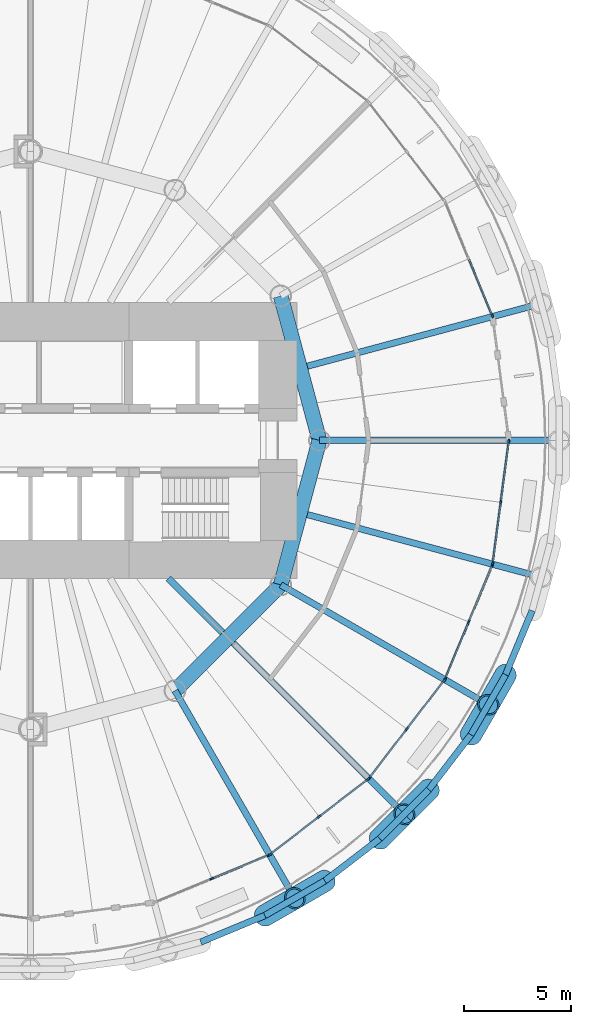
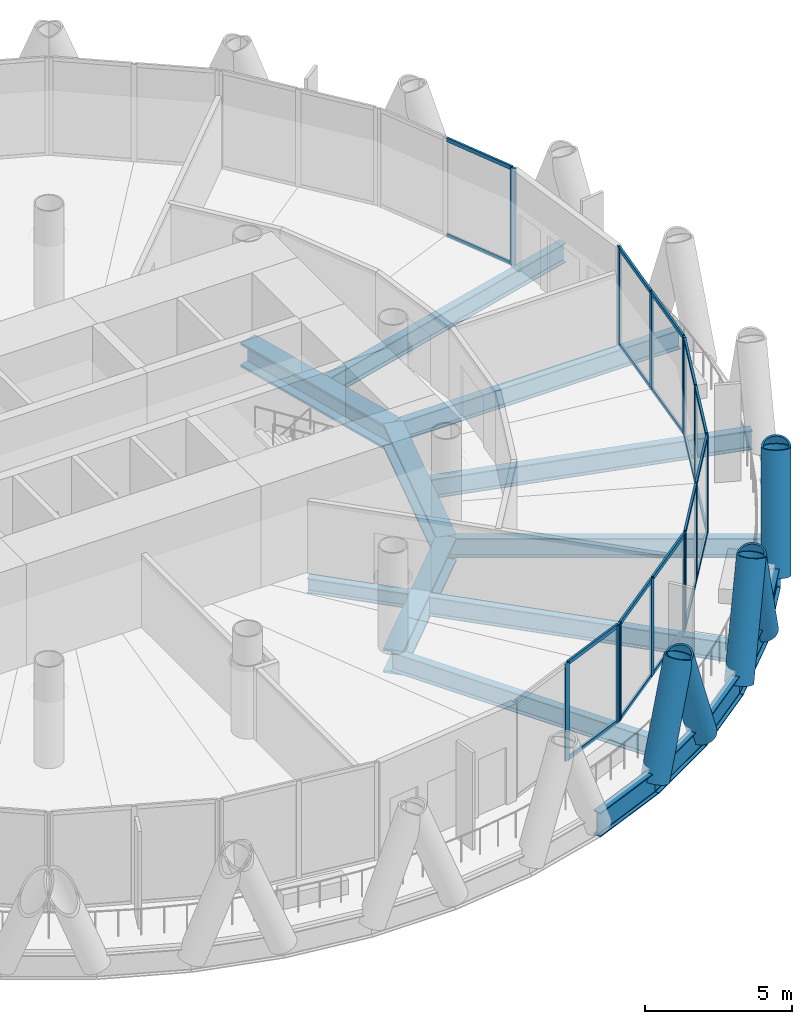
# One storey, part 4 of 15: 41 members, 17 beams, 6 elements without a shape of their own.
"""IFC4 building model written with IfcOpenShell, lengths in metres."""

import ifcopenshell
import ifcopenshell.guid

model = None  # the IFC model being written
_history = None  # IfcOwnerHistory: only IFC2X3 demands one
_inside = {}  # id of a spatial element -> (the spatial element, [elements in it])
_under = {}  # id of a project, library or spatial element -> (it, [spatial elements below it])
_declared = {}  # id of a project -> (the project, [libraries it declares])
_typed = {}  # id of a type object -> (the type object, [elements of that type])
_made_of = {}  # id of a material, layer set ... -> (it, [elements and type objects made of it])


def new_model(schema):
    """Start an empty IFC model of exactly this schema.

    Asked for "IFC4X3", IfcOpenShell would pick the latest addendum, in which some entities
    have other attributes; the version numbers below select the first issue.
    IFC2X3 requires an IfcOwnerHistory on every rooted entity: one is made here for all.
    """
    global model, _history
    if schema == "IFC4X3":
        model = ifcopenshell.file(schema_version=(4, 3, 0, 0))
    else:
        model = ifcopenshell.file(schema=schema)
    _inside.clear()
    _under.clear()
    _declared.clear()
    _typed.clear()
    _made_of.clear()
    _history = None
    if model.schema == "IFC2X3":
        org = make("IfcOrganization", Name="unknown")
        user = make(
            "IfcPersonAndOrganization",
            ThePerson=make("IfcPerson", FamilyName="unknown"),
            TheOrganization=org,
        )
        app = make(
            "IfcApplication",
            ApplicationDeveloper=org,
            Version="unknown",
            ApplicationFullName="unknown",
            ApplicationIdentifier="unknown",
        )
        _history = make(
            "IfcOwnerHistory",
            OwningUser=user,
            OwningApplication=app,
            ChangeAction="ADDED",
            CreationDate=0,
        )
    return model


def make(cls, **values):
    """One entity of the class cls with the attributes given. An attribute that is None is left unset."""
    return model.create_entity(
        cls, **{name: value for name, value in values.items() if value is not None}
    )


def rooted(cls, **values):
    """An entity with a GlobalId (a new one), such as an element, a storey or a relation."""
    return make(cls, GlobalId=ifcopenshell.guid.new(), OwnerHistory=_history, **values)


def si_unit(unit_type, name, prefix=None):
    """IfcSIUnit, for example si_unit("LENGTHUNIT", "METRE", prefix="MILLI")."""
    return make("IfcSIUnit", UnitType=unit_type, Prefix=prefix, Name=name)


def assignment(units):
    """IfcUnitAssignment: the units of a project."""
    return None if units is None else make("IfcUnitAssignment", Units=units)


def point(xyz):
    """IfcCartesianPoint."""
    return None if xyz is None else make("IfcCartesianPoint", Coordinates=xyz)


def direction(xyz):
    """IfcDirection."""
    return None if xyz is None else make("IfcDirection", DirectionRatios=xyz)


def frame(location, z_axis=None, x_axis=None):
    """IfcAxis2Placement3D, a coordinate frame: its origin and axes. An axis left out is left unset."""
    return make(
        "IfcAxis2Placement3D",
        Location=point(location),
        Axis=direction(z_axis),
        RefDirection=direction(x_axis),
    )


def frame_2d(location, x_axis=None):
    """IfcAxis2Placement2D, a coordinate frame in the plane: its origin and x axis."""
    return make(
        "IfcAxis2Placement2D", Location=point(location), RefDirection=direction(x_axis)
    )


def origin():
    """The frame at (0, 0, 0) with its axes left unset."""
    return frame((0.0, 0.0, 0.0))


def origin_2d():
    """The frame at (0, 0) in the plane with its x axis left unset."""
    return frame_2d((0.0, 0.0))


def place(relative_to, where):
    """IfcLocalPlacement: puts the frame where relative to a parent placement (None: the world)."""
    return make(
        "IfcLocalPlacement", PlacementRelTo=relative_to, RelativePlacement=where
    )


def context(
    kind, dimensions, precision=None, world=None, true_north=None, identifier=None
):
    """IfcGeometricRepresentationContext, for example the 3D "Model" context."""
    return make(
        "IfcGeometricRepresentationContext",
        ContextIdentifier=identifier,
        ContextType=kind,
        CoordinateSpaceDimension=dimensions,
        Precision=precision,
        WorldCoordinateSystem=world,
        TrueNorth=true_north,
    )


def subcontext(parent, identifier, kind, view, scale=None):
    """IfcGeometricRepresentationSubContext, for example "Body" below "Model"."""
    return make(
        "IfcGeometricRepresentationSubContext",
        ContextIdentifier=identifier,
        ContextType=kind,
        ParentContext=parent,
        TargetScale=scale,
        TargetView=view,
    )


def project(units=None, contexts=None):
    """IfcProject with its units and contexts."""
    return rooted(
        "IfcProject",
        Name="project",
        RepresentationContexts=contexts,
        UnitsInContext=assignment(units),
    )


def spatial(cls, under=None, at=None, **own):
    """A site, building, storey or space (cls), placed at a placement, below another one or the project."""
    s = rooted(cls, ObjectPlacement=at, **own)
    if under is not None:
        _under.setdefault(under.id(), (under, []))[1].append(s)
    return s


def profile(cls, at=None, kind="AREA", **sizes):
    """A parametric profile (cls). Its sizes go by their IFC names, for example OverallWidth=200.0."""
    return make(cls, ProfileType=kind, Position=at, **sizes)


def rectangle(**sizes):
    """IfcRectangleProfileDef."""
    return profile("IfcRectangleProfileDef", **sizes)


def hollow_circle(**sizes):
    """IfcCircleHollowProfileDef."""
    return profile("IfcCircleHollowProfileDef", **sizes)


def i_section(**sizes):
    """IfcIShapeProfileDef."""
    return profile("IfcIShapeProfileDef", **sizes)


def extrude(swept, where, along, depth):
    """IfcExtrudedAreaSolid: the profile swept, set in the frame where, extruded along a direction by depth."""
    return make(
        "IfcExtrudedAreaSolid",
        SweptArea=swept,
        Position=where,
        ExtrudedDirection=direction(along),
        Depth=depth,
    )


def shape(context_of_items, identifier, shape_type, items):
    """IfcShapeRepresentation: the items that make up one representation, for example the "Body"."""
    return make(
        "IfcShapeRepresentation",
        ContextOfItems=context_of_items,
        RepresentationIdentifier=identifier,
        RepresentationType=shape_type,
        Items=items,
    )


def material(Name=None, Category=None):
    """IfcMaterial."""
    return make("IfcMaterial", Name=Name, Category=Category)


def material_profile(
    of_material, cross_section, Name=None, Category=None, Priority=None
):
    """IfcMaterialProfile: a cross section and its material."""
    return make(
        "IfcMaterialProfile",
        Name=Name,
        Material=of_material,
        Profile=cross_section,
        Priority=Priority,
        Category=Category,
    )


def profile_set(profiles, Name=None, composite=None):
    """IfcMaterialProfileSet."""
    return make(
        "IfcMaterialProfileSet",
        Name=Name,
        MaterialProfiles=profiles,
        CompositeProfile=composite,
    )


def made_of(thing, what):
    """Note that an element or type object is made of a material, layer set ...; save() writes the relation."""
    if what is not None:
        _made_of.setdefault(what.id(), (what, []))[1].append(thing)
    return thing


def type_object(cls, material=None, **own):
    """A type object (cls), such as IfcWallType, which elements share."""
    return made_of(rooted(cls, **own), material)


def element(
    cls,
    number,
    at=None,
    inside=None,
    cuts=None,
    type_object=None,
    material=None,
    context=None,
    identifier="Body",
    shape_type=None,
    held_by="IfcProductDefinitionShape",
    body=None,
    shapes=None,
    **own,
):
    """One element of the class cls, such as IfcWall. Its Tag is "e" and its number.

    at: its placement. inside: the storey or other place that contains it. cuts: it is an
    opening in that element (IfcRelVoidsElement). A single representation is given by context,
    identifier, shape_type and body (its items); several are given by shapes. held_by: the class
    of the entity that holds the representations. save() writes the other relations.
    """
    e = rooted(cls, Tag="e%d" % number, ObjectPlacement=at, **own)
    if body is not None:
        shapes = [shape(context, identifier, shape_type, body)]
    if shapes is not None:
        e.Representation = make(held_by, Representations=shapes)
    if inside is not None:
        _inside.setdefault(inside.id(), (inside, []))[1].append(e)
    if cuts is not None:
        rooted(
            "IfcRelVoidsElement", RelatingBuildingElement=cuts, RelatedOpeningElement=e
        )
    if type_object is not None:
        _typed.setdefault(type_object.id(), (type_object, []))[1].append(e)
    return made_of(e, material)


def aggregate(whole, parts):
    """IfcRelAggregates: a whole, such as a stair, and the parts it consists of."""
    return rooted("IfcRelAggregates", RelatingObject=whole, RelatedObjects=parts)


def save(model, path):
    """Write the relations noted so far, then the file.

    IfcRelAggregates (storeys below a building ...), IfcRelContainedInSpatialStructure (elements
    in a storey), IfcRelDefinesByType, IfcRelAssociatesMaterial and IfcRelDeclares: one each for
    every whole, place, type object, material and project.
    """
    for whole, parts in _under.values():
        aggregate(whole, parts)
    for where, things in _inside.values():
        rooted(
            "IfcRelContainedInSpatialStructure",
            RelatedElements=things,
            RelatingStructure=where,
        )
    for kind, things in _typed.values():
        rooted("IfcRelDefinesByType", RelatedObjects=things, RelatingType=kind)
    for what, things in _made_of.values():
        rooted("IfcRelAssociatesMaterial", RelatedObjects=things, RelatingMaterial=what)
    for by, libraries in _declared.values():
        rooted("IfcRelDeclares", RelatingContext=by, RelatedDefinitions=libraries)
    model.write(path)


model = new_model("IFC4")

# Units and contexts
model_context = context("Model", 3, precision=1e-05, world=origin(), true_north=direction((0.0, 1.0)))
body_context = subcontext(model_context, "Body", "Model", "MODEL_VIEW")
ifc_project = project(units=[si_unit("LENGTHUNIT", "METRE"), si_unit("AREAUNIT", "SQUARE_METRE"), si_unit("VOLUMEUNIT", "CUBIC_METRE"), si_unit("PLANEANGLEUNIT", "RADIAN"), si_unit("MASSUNIT", "GRAM", prefix="KILO")], contexts=[model_context])

# Site, building, storey
site_placement = place(None, origin())
site = spatial("IfcSite", under=ifc_project, at=site_placement, CompositionType="ELEMENT")
building_placement = place(site_placement, origin())
building = spatial("IfcBuilding", under=site, at=building_placement, Name="Qaws Media Tower", CompositionType="ELEMENT")
storey_placement = place(building_placement, frame((0.0, 0.0, 156.199951171875)))
storey = spatial("IfcBuildingStorey", under=building, at=storey_placement, Name="L35", CompositionType="ELEMENT", Elevation=156.199951171875)

# Curtain wall, member
ifc_material_1 = material(Name="Aluminium and clear glass", Category="aluminium")
curtain_wall_type = type_object("IfcCurtainWallType", Name="Unitised curtain wall CW-B", PredefinedType="NOTDEFINED", material=ifc_material_1)
curtain_wall_1_placement = place(storey_placement, origin())
curtain_wall_1 = element("IfcCurtainWall", 1, at=curtain_wall_1_placement, inside=storey, type_object=curtain_wall_type, Name="CWB curtain wall L35-02", PredefinedType="NOTDEFINED")
ifc_material_2 = material(Name="Aluminium mullion", Category="aluminium")
ifc_material_profile_1 = material_profile(ifc_material_2, rectangle(XDim=0.080078125, YDim=0.199951171875, at=origin_2d()), Name="80x200")
ifc_profile_set_1 = profile_set([ifc_material_profile_1], Name="Aluminium mullion")
member_type_1 = type_object("IfcMemberType", Name="Curtain wall mullion 80x200", PredefinedType="MULLION", material=ifc_profile_set_1)
member_1_placement = place(storey_placement, frame((81.5732421875, 55.821533203125, 0.0), z_axis=(0.0, 0.0, 1.0), x_axis=(-0.923879550772, -0.38268338828, 0.0)))
member_1 = element("IfcMember", 2, at=member_1_placement, type_object=member_type_1, Name="CWB mullion 1", PredefinedType="MULLION", context=body_context, shape_type="SweptSolid", body=[
    extrude(rectangle(XDim=0.080078125, YDim=0.199951171875, at=origin_2d()), origin(), (0.0, 0.0, 1.0), 4.0400390625),
])

# Curtain wall, members
curtain_wall_2_placement = place(storey_placement, origin())
curtain_wall_2 = element("IfcCurtainWall", 3, at=curtain_wall_2_placement, inside=storey, type_object=curtain_wall_type, Name="CWB curtain wall L35-20", PredefinedType="NOTDEFINED")
member_2_placement = place(storey_placement, frame((68.479736328125, 29.52783203125, 0.0), z_axis=(0.0, 0.0, 1.0), x_axis=(-0.38268338828, 0.923879550772, 0.0)))
member_2 = element("IfcMember", 4, at=member_2_placement, type_object=member_type_1, Name="CWB mullion 2", PredefinedType="MULLION", context=body_context, shape_type="SweptSolid", body=[
    extrude(rectangle(XDim=0.080078125, YDim=0.199951171875, at=origin_2d()), origin(), (0.0, 0.0, 1.0), 4.0400390625),
])
member_3_placement = place(storey_placement, frame((71.137939453125, 30.62890625, 0.0), z_axis=(0.0, 0.0, 1.0), x_axis=(-0.38268338828, 0.923879550772, 0.0)))
member_3 = element("IfcMember", 5, at=member_3_placement, type_object=member_type_1, Name="CWB mullion 3", PredefinedType="MULLION", context=body_context, shape_type="SweptSolid", body=[
    extrude(rectangle(XDim=0.080078125, YDim=0.199951171875, at=origin_2d()), origin(), (0.0, 0.0, 1.0), 4.0400390625),
])

curtain_wall_3_placement = place(storey_placement, origin())
curtain_wall_3 = element("IfcCurtainWall", 6, at=curtain_wall_3_placement, inside=storey, type_object=curtain_wall_type, Name="CWB curtain wall L35-21", PredefinedType="NOTDEFINED")
member_4_placement = place(storey_placement, frame((71.206787109375, 30.668701171875, 0.0), z_axis=(0.0, 0.0, 1.0), x_axis=(-0.608761369344, 0.793353386074, 0.0)))
member_4 = element("IfcMember", 7, at=member_4_placement, type_object=member_type_1, Name="CWB mullion 1", PredefinedType="MULLION", context=body_context, shape_type="SweptSolid", body=[
    extrude(rectangle(XDim=0.080078125, YDim=0.199951171875, at=origin_2d()), origin(), (0.0, 0.0, 1.0), 4.0400390625),
])
member_5_placement = place(storey_placement, frame((73.489501953125, 32.420166015625, 0.0), z_axis=(0.0, 0.0, 1.0), x_axis=(-0.608761369344, 0.793353386074, 0.0)))
member_5 = element("IfcMember", 8, at=member_5_placement, type_object=member_type_1, Name="CWB mullion 2", PredefinedType="MULLION", context=body_context, shape_type="SweptSolid", body=[
    extrude(rectangle(XDim=0.080078125, YDim=0.199951171875, at=origin_2d()), origin(), (0.0, 0.0, 1.0), 4.0400390625),
])
member_6_placement = place(storey_placement, frame((75.772216796875, 34.171875, 0.0), z_axis=(0.0, 0.0, 1.0), x_axis=(-0.608761369344, 0.793353386074, 0.0)))
member_6 = element("IfcMember", 9, at=member_6_placement, type_object=member_type_1, Name="CWB mullion 3", PredefinedType="MULLION", context=body_context, shape_type="SweptSolid", body=[
    extrude(rectangle(XDim=0.080078125, YDim=0.199951171875, at=origin_2d()), origin(), (0.0, 0.0, 1.0), 4.0400390625),
])

curtain_wall_4_placement = place(storey_placement, origin())
curtain_wall_4 = element("IfcCurtainWall", 10, at=curtain_wall_4_placement, inside=storey, type_object=curtain_wall_type, Name="CWB curtain wall L35-22", PredefinedType="NOTDEFINED")
member_7_placement = place(storey_placement, frame((75.828125, 34.227783203125, 0.0), z_axis=(0.0, 0.0, 1.0), x_axis=(-0.793353386074, 0.608761369344, 0.0)))
member_7 = element("IfcMember", 11, at=member_7_placement, type_object=member_type_1, Name="CWB mullion 1", PredefinedType="MULLION", context=body_context, shape_type="SweptSolid", body=[
    extrude(rectangle(XDim=0.080078125, YDim=0.199951171875, at=origin_2d()), origin(), (0.0, 0.0, 1.0), 4.0400390625),
])
member_8_placement = place(storey_placement, frame((77.579833984375, 36.510498046875, 0.0), z_axis=(0.0, 0.0, 1.0), x_axis=(-0.793353386074, 0.608761369344, 0.0)))
member_8 = element("IfcMember", 12, at=member_8_placement, type_object=member_type_1, Name="CWB mullion 2", PredefinedType="MULLION", context=body_context, shape_type="SweptSolid", body=[
    extrude(rectangle(XDim=0.080078125, YDim=0.199951171875, at=origin_2d()), origin(), (0.0, 0.0, 1.0), 4.0400390625),
])
member_9_placement = place(storey_placement, frame((79.331298828125, 38.793212890625, 0.0), z_axis=(0.0, 0.0, 1.0), x_axis=(-0.793353386074, 0.608761369344, 0.0)))
member_9 = element("IfcMember", 13, at=member_9_placement, type_object=member_type_1, Name="CWB mullion 3", PredefinedType="MULLION", context=body_context, shape_type="SweptSolid", body=[
    extrude(rectangle(XDim=0.080078125, YDim=0.199951171875, at=origin_2d()), origin(), (0.0, 0.0, 1.0), 4.0400390625),
])

curtain_wall_5_placement = place(storey_placement, origin())
curtain_wall_5 = element("IfcCurtainWall", 14, at=curtain_wall_5_placement, inside=storey, type_object=curtain_wall_type, Name="CWB curtain wall L35-23", PredefinedType="NOTDEFINED")
member_10_placement = place(storey_placement, frame((79.37109375, 38.862060546875, 0.0), z_axis=(0.0, 0.0, 1.0), x_axis=(-0.923879550772, 0.38268338828, 0.0)))
member_10 = element("IfcMember", 15, at=member_10_placement, type_object=member_type_1, Name="CWB mullion 1", PredefinedType="MULLION", context=body_context, shape_type="SweptSolid", body=[
    extrude(rectangle(XDim=0.080078125, YDim=0.199951171875, at=origin_2d()), origin(), (0.0, 0.0, 1.0), 4.0400390625),
])
member_11_placement = place(storey_placement, frame((80.47216796875, 41.520263671875, 0.0), z_axis=(0.0, 0.0, 1.0), x_axis=(-0.923879550772, 0.38268338828, 0.0)))
member_11 = element("IfcMember", 16, at=member_11_placement, type_object=member_type_1, Name="CWB mullion 2", PredefinedType="MULLION", context=body_context, shape_type="SweptSolid", body=[
    extrude(rectangle(XDim=0.080078125, YDim=0.199951171875, at=origin_2d()), origin(), (0.0, 0.0, 1.0), 4.0400390625),
])
member_12_placement = place(storey_placement, frame((81.5732421875, 44.178466796875, 0.0), z_axis=(0.0, 0.0, 1.0), x_axis=(-0.923879550772, 0.38268338828, 0.0)))
member_12 = element("IfcMember", 17, at=member_12_placement, type_object=member_type_1, Name="CWB mullion 3", PredefinedType="MULLION", context=body_context, shape_type="SweptSolid", body=[
    extrude(rectangle(XDim=0.080078125, YDim=0.199951171875, at=origin_2d()), origin(), (0.0, 0.0, 1.0), 4.0400390625),
])

curtain_wall_6_placement = place(storey_placement, origin())
curtain_wall_6 = element("IfcCurtainWall", 18, at=curtain_wall_6_placement, inside=storey, type_object=curtain_wall_type, Name="CWB curtain wall L35-24", PredefinedType="NOTDEFINED")
member_13_placement = place(storey_placement, frame((81.59375, 44.255126953125, 0.0), z_axis=(0.0, 0.0, 1.0), x_axis=(-0.991444857547, 0.130526221291, 0.0)))
member_13 = element("IfcMember", 19, at=member_13_placement, type_object=member_type_1, Name="CWB mullion 1", PredefinedType="MULLION", context=body_context, shape_type="SweptSolid", body=[
    extrude(rectangle(XDim=0.080078125, YDim=0.199951171875, at=origin_2d()), origin(), (0.0, 0.0, 1.0), 4.0400390625),
])
member_14_placement = place(storey_placement, frame((81.96923828125, 47.107666015625, 0.0), z_axis=(0.0, 0.0, 1.0), x_axis=(-0.991444857547, 0.130526221291, 0.0)))
member_14 = element("IfcMember", 20, at=member_14_placement, type_object=member_type_1, Name="CWB mullion 2", PredefinedType="MULLION", context=body_context, shape_type="SweptSolid", body=[
    extrude(rectangle(XDim=0.080078125, YDim=0.199951171875, at=origin_2d()), origin(), (0.0, 0.0, 1.0), 4.0400390625),
])
member_15_placement = place(storey_placement, frame((82.3447265625, 49.96044921875, 0.0), z_axis=(0.0, 0.0, 1.0), x_axis=(-0.991444857547, 0.130526221291, 0.0)))
member_15 = element("IfcMember", 21, at=member_15_placement, type_object=member_type_1, Name="CWB mullion 3", PredefinedType="MULLION", context=body_context, shape_type="SweptSolid", body=[
    extrude(rectangle(XDim=0.080078125, YDim=0.199951171875, at=origin_2d()), origin(), (0.0, 0.0, 1.0), 4.0400390625),
])

# Member
ifc_material_3 = material(Name="Aluminium transom", Category="aluminium")
ifc_material_profile_2 = material_profile(ifc_material_3, rectangle(XDim=0.080078125, YDim=0.159912109375, at=origin_2d()), Name="80x160")
ifc_profile_set_2 = profile_set([ifc_material_profile_2], Name="Aluminium transom")
member_type_2 = type_object("IfcMemberType", Name="Curtain wall transom 80x160", PredefinedType="USERDEFINED", material=ifc_profile_set_2)
member_16_placement = place(storey_placement, frame((81.557861328125, 55.8583984375, 0.0400390625), z_axis=(-0.382693505859, 0.923875359869, 0.0), x_axis=(-0.923875359869, -0.382693505859, 0.0)))
member_16 = element("IfcMember", 22, at=member_16_placement, type_object=member_type_2, Name="CWB transom 1.1", ObjectType="TRANSOM", PredefinedType="USERDEFINED", context=body_context, shape_type="SweptSolid", body=[
    extrude(rectangle(XDim=0.080078125, YDim=0.159912109375, at=origin_2d()), origin(), (0.0, 0.0, 1.0), 2.79736328125),
])

member_17_placement = place(storey_placement, frame((81.557861328125, 55.8583984375, 4.0), z_axis=(-0.382693505859, 0.923875359869, 0.0), x_axis=(-0.923875359869, -0.382693505859, 0.0)))
member_17 = element("IfcMember", 23, at=member_17_placement, type_object=member_type_2, Name="CWB transom 1.2", ObjectType="TRANSOM", PredefinedType="USERDEFINED", context=body_context, shape_type="SweptSolid", body=[
    extrude(rectangle(XDim=0.080078125, YDim=0.159912109375, at=origin_2d()), origin(), (0.0, 0.0, 1.0), 2.79736328125),
])

aggregate(curtain_wall_1, [member_1, member_16, member_17])

member_18_placement = place(storey_placement, frame((68.516845703125, 29.543212890625, 0.0400390625), z_axis=(0.923862576768, 0.382724364585, 0.0), x_axis=(-0.382724364585, 0.923862576768, 0.0)))
member_18 = element("IfcMember", 24, at=member_18_placement, type_object=member_type_2, Name="CWB transom 2.1", ObjectType="TRANSOM", PredefinedType="USERDEFINED", context=body_context, shape_type="SweptSolid", body=[
    extrude(rectangle(XDim=0.080078125, YDim=0.159912109375, at=origin_2d()), origin(), (0.0, 0.0, 1.0), 2.797119140625),
])

member_19_placement = place(storey_placement, frame((68.516845703125, 29.543212890625, 4.0), z_axis=(0.923862576768, 0.382724364585, 0.0), x_axis=(-0.382724364585, 0.923862576768, 0.0)))
member_19 = element("IfcMember", 25, at=member_19_placement, type_object=member_type_2, Name="CWB transom 2.2", ObjectType="TRANSOM", PredefinedType="USERDEFINED", context=body_context, shape_type="SweptSolid", body=[
    extrude(rectangle(XDim=0.080078125, YDim=0.159912109375, at=origin_2d()), origin(), (0.0, 0.0, 1.0), 2.797119140625),
])

aggregate(curtain_wall_2, [member_2, member_3, member_18, member_19])

member_20_placement = place(storey_placement, frame((71.238525390625, 30.693115234375, 0.0400390625), z_axis=(0.793353438114, 0.608761301523, 0.0), x_axis=(-0.608761301523, 0.793353438114, 0.0)))
member_20 = element("IfcMember", 26, at=member_20_placement, type_object=member_type_2, Name="CWB transom 1.1", ObjectType="TRANSOM", PredefinedType="USERDEFINED", context=body_context, shape_type="SweptSolid", body=[
    extrude(rectangle(XDim=0.080078125, YDim=0.159912109375, at=origin_2d()), origin(), (0.0, 0.0, 1.0), 2.79736328125),
])

member_21_placement = place(storey_placement, frame((71.238525390625, 30.693115234375, 4.0), z_axis=(0.793353438114, 0.608761301523, 0.0), x_axis=(-0.608761301523, 0.793353438114, 0.0)))
member_21 = element("IfcMember", 27, at=member_21_placement, type_object=member_type_2, Name="CWB transom 1.2", ObjectType="TRANSOM", PredefinedType="USERDEFINED", context=body_context, shape_type="SweptSolid", body=[
    extrude(rectangle(XDim=0.080078125, YDim=0.159912109375, at=origin_2d()), origin(), (0.0, 0.0, 1.0), 2.79736328125),
])

member_22_placement = place(storey_placement, frame((73.521240234375, 32.444580078125, 0.0400390625), z_axis=(0.793353438114, 0.608761301523, 0.0), x_axis=(-0.608761301523, 0.793353438114, 0.0)))
member_22 = element("IfcMember", 28, at=member_22_placement, type_object=member_type_2, Name="CWB transom 2.1", ObjectType="TRANSOM", PredefinedType="USERDEFINED", context=body_context, shape_type="SweptSolid", body=[
    extrude(rectangle(XDim=0.080078125, YDim=0.159912109375, at=origin_2d()), origin(), (0.0, 0.0, 1.0), 2.79736328125),
])

member_23_placement = place(storey_placement, frame((73.521240234375, 32.444580078125, 4.0), z_axis=(0.793353438114, 0.608761301523, 0.0), x_axis=(-0.608761301523, 0.793353438114, 0.0)))
member_23 = element("IfcMember", 29, at=member_23_placement, type_object=member_type_2, Name="CWB transom 2.2", ObjectType="TRANSOM", PredefinedType="USERDEFINED", context=body_context, shape_type="SweptSolid", body=[
    extrude(rectangle(XDim=0.080078125, YDim=0.159912109375, at=origin_2d()), origin(), (0.0, 0.0, 1.0), 2.79736328125),
])

aggregate(curtain_wall_3, [member_4, member_5, member_6, member_20, member_21, member_22, member_23])

member_24_placement = place(storey_placement, frame((75.8525390625, 34.259521484375, 0.0400390625), z_axis=(0.608761301523, 0.793353438114, 0.0), x_axis=(-0.793353438114, 0.608761301523, 0.0)))
member_24 = element("IfcMember", 30, at=member_24_placement, type_object=member_type_2, Name="CWB transom 1.1", ObjectType="TRANSOM", PredefinedType="USERDEFINED", context=body_context, shape_type="SweptSolid", body=[
    extrude(rectangle(XDim=0.080078125, YDim=0.159912109375, at=origin_2d()), origin(), (0.0, 0.0, 1.0), 2.79736328125),
])

member_25_placement = place(storey_placement, frame((75.8525390625, 34.259521484375, 4.0), z_axis=(0.608761301523, 0.793353438114, 0.0), x_axis=(-0.793353438114, 0.608761301523, 0.0)))
member_25 = element("IfcMember", 31, at=member_25_placement, type_object=member_type_2, Name="CWB transom 1.2", ObjectType="TRANSOM", PredefinedType="USERDEFINED", context=body_context, shape_type="SweptSolid", body=[
    extrude(rectangle(XDim=0.080078125, YDim=0.159912109375, at=origin_2d()), origin(), (0.0, 0.0, 1.0), 2.79736328125),
])

member_26_placement = place(storey_placement, frame((77.60400390625, 36.542236328125, 0.0400390625), z_axis=(0.608761301523, 0.793353438114, 0.0), x_axis=(-0.793353438114, 0.608761301523, 0.0)))
member_26 = element("IfcMember", 32, at=member_26_placement, type_object=member_type_2, Name="CWB transom 2.1", ObjectType="TRANSOM", PredefinedType="USERDEFINED", context=body_context, shape_type="SweptSolid", body=[
    extrude(rectangle(XDim=0.080078125, YDim=0.159912109375, at=origin_2d()), origin(), (0.0, 0.0, 1.0), 2.79736328125),
])

member_27_placement = place(storey_placement, frame((77.60400390625, 36.542236328125, 4.0), z_axis=(0.608761301523, 0.793353438114, 0.0), x_axis=(-0.793353438114, 0.608761301523, 0.0)))
member_27 = element("IfcMember", 33, at=member_27_placement, type_object=member_type_2, Name="CWB transom 2.2", ObjectType="TRANSOM", PredefinedType="USERDEFINED", context=body_context, shape_type="SweptSolid", body=[
    extrude(rectangle(XDim=0.080078125, YDim=0.159912109375, at=origin_2d()), origin(), (0.0, 0.0, 1.0), 2.79736328125),
])

aggregate(curtain_wall_4, [member_7, member_8, member_9, member_24, member_25, member_26, member_27])

member_28_placement = place(storey_placement, frame((79.38623046875, 38.89892578125, 0.0400390625), z_axis=(0.382724364585, 0.923862576768, 0.0), x_axis=(-0.923862576768, 0.382724364585, 0.0)))
member_28 = element("IfcMember", 34, at=member_28_placement, type_object=member_type_2, Name="CWB transom 1.1", ObjectType="TRANSOM", PredefinedType="USERDEFINED", context=body_context, shape_type="SweptSolid", body=[
    extrude(rectangle(XDim=0.080078125, YDim=0.159912109375, at=origin_2d()), origin(), (0.0, 0.0, 1.0), 2.797119140625),
])

member_29_placement = place(storey_placement, frame((79.38623046875, 38.89892578125, 4.0), z_axis=(0.382724364585, 0.923862576768, 0.0), x_axis=(-0.923862576768, 0.382724364585, 0.0)))
member_29 = element("IfcMember", 35, at=member_29_placement, type_object=member_type_2, Name="CWB transom 1.2", ObjectType="TRANSOM", PredefinedType="USERDEFINED", context=body_context, shape_type="SweptSolid", body=[
    extrude(rectangle(XDim=0.080078125, YDim=0.159912109375, at=origin_2d()), origin(), (0.0, 0.0, 1.0), 2.797119140625),
])

member_30_placement = place(storey_placement, frame((80.4873046875, 41.55712890625, 0.0400390625), z_axis=(0.382693505859, 0.923875359869, 0.0), x_axis=(-0.923875359869, 0.382693505859, 0.0)))
member_30 = element("IfcMember", 36, at=member_30_placement, type_object=member_type_2, Name="CWB transom 2.1", ObjectType="TRANSOM", PredefinedType="USERDEFINED", context=body_context, shape_type="SweptSolid", body=[
    extrude(rectangle(XDim=0.080078125, YDim=0.159912109375, at=origin_2d()), origin(), (0.0, 0.0, 1.0), 2.79736328125),
])

member_31_placement = place(storey_placement, frame((80.4873046875, 41.55712890625, 4.0), z_axis=(0.382693505859, 0.923875359869, 0.0), x_axis=(-0.923875359869, 0.382693505859, 0.0)))
member_31 = element("IfcMember", 37, at=member_31_placement, type_object=member_type_2, Name="CWB transom 2.2", ObjectType="TRANSOM", PredefinedType="USERDEFINED", context=body_context, shape_type="SweptSolid", body=[
    extrude(rectangle(XDim=0.080078125, YDim=0.159912109375, at=origin_2d()), origin(), (0.0, 0.0, 1.0), 2.79736328125),
])

aggregate(curtain_wall_5, [member_10, member_11, member_12, member_28, member_29, member_30, member_31])

member_32_placement = place(storey_placement, frame((81.598876953125, 44.294677734375, 0.0400390625), z_axis=(0.130562877322, 0.991440030998, 0.0), x_axis=(-0.991440030998, 0.130562877322, 0.0)))
member_32 = element("IfcMember", 38, at=member_32_placement, type_object=member_type_2, Name="CWB transom 1.1", ObjectType="TRANSOM", PredefinedType="USERDEFINED", context=body_context, shape_type="SweptSolid", body=[
    extrude(rectangle(XDim=0.080078125, YDim=0.159912109375, at=origin_2d()), origin(), (0.0, 0.0, 1.0), 2.79736328125),
])

member_33_placement = place(storey_placement, frame((81.598876953125, 44.294677734375, 4.0), z_axis=(0.130562877322, 0.991440030998, 0.0), x_axis=(-0.991440030998, 0.130562877322, 0.0)))
member_33 = element("IfcMember", 39, at=member_33_placement, type_object=member_type_2, Name="CWB transom 1.2", ObjectType="TRANSOM", PredefinedType="USERDEFINED", context=body_context, shape_type="SweptSolid", body=[
    extrude(rectangle(XDim=0.080078125, YDim=0.159912109375, at=origin_2d()), origin(), (0.0, 0.0, 1.0), 2.79736328125),
])

member_34_placement = place(storey_placement, frame((81.974365234375, 47.1474609375, 0.0400390625), z_axis=(0.130574175581, 0.991438543063, 0.0), x_axis=(-0.991438543063, 0.130574175581, 0.0)))
member_34 = element("IfcMember", 40, at=member_34_placement, type_object=member_type_2, Name="CWB transom 2.1", ObjectType="TRANSOM", PredefinedType="USERDEFINED", context=body_context, shape_type="SweptSolid", body=[
    extrude(rectangle(XDim=0.080078125, YDim=0.159912109375, at=origin_2d()), origin(), (0.0, 0.0, 1.0), 2.797119140625),
])

member_35_placement = place(storey_placement, frame((81.974365234375, 47.1474609375, 4.0), z_axis=(0.130574175581, 0.991438543063, 0.0), x_axis=(-0.991438543063, 0.130574175581, 0.0)))
member_35 = element("IfcMember", 41, at=member_35_placement, type_object=member_type_2, Name="CWB transom 2.2", ObjectType="TRANSOM", PredefinedType="USERDEFINED", context=body_context, shape_type="SweptSolid", body=[
    extrude(rectangle(XDim=0.080078125, YDim=0.159912109375, at=origin_2d()), origin(), (0.0, 0.0, 1.0), 2.797119140625),
])

aggregate(curtain_wall_6, [member_13, member_14, member_15, member_32, member_33, member_34, member_35])

# Members
ifc_material_4 = material(Name="Steel S460", Category="steel")
ifc_material_profile_3 = material_profile(ifc_material_4, hollow_circle(Radius=0.508056640625, WallThickness=0.070068359375, at=origin_2d()), Name="CHS 1016x70")
ifc_profile_set_3 = profile_set([ifc_material_profile_3], Name="Steel S460")
member_type_3 = type_object("IfcMemberType", Name="Diagrid member CHS 1016x70", PredefinedType="USERDEFINED", material=ifc_profile_set_3)
for number, where, z_axis, x_axis, name in (
    (42, (70.946533203125, 27.802490234375, -0.6640625), (0.311808506192, 0.179199044088, 0.933093327628), (-0.498281269713, 0.867015441762, 0.0), "DG3 diagrid L35 A20"),
    (43, (76.31884765625, 31.391845703125, -0.6640625), (0.254752385467, 0.253830352137, 0.933097730376), (-0.705823674431, 0.708387563847, 0.0), "DG3 diagrid L35 A21"),
):
    element("IfcMember", number, at=place(storey_placement, frame(where, z_axis=z_axis, x_axis=x_axis)), inside=storey, type_object=member_type_3, Name=name, ObjectType="DIAGRID", PredefinedType="USERDEFINED", context=body_context, shape_type="SweptSolid", body=[
        extrude(hollow_circle(Radius=0.508056640625, WallThickness=0.070068359375, at=origin_2d()), origin(), (0.0, 0.0, 1.0), 4.50146484375),
    ])
for number, where, z_axis, x_axis, name in (
    (44, (73.750244140625, 29.421142578125, -0.6640625), (-0.311056012492, -0.180396215789, 0.933113799288), (0.501684228917, -0.865050827672, 0.0), "DG3 diagrid L35 B21"),
    (45, (80.578857421875, 36.249755859375, -0.6640625), (0.180396215789, 0.311056012492, 0.933113799288), (-0.865050827672, 0.501684228917, 0.0), "DG3 diagrid L35 A22"),
):
    element("IfcMember", number, at=place(storey_placement, frame(where, z_axis=z_axis, x_axis=x_axis)), inside=storey, type_object=member_type_3, Name=name, ObjectType="DIAGRID", PredefinedType="USERDEFINED", context=body_context, shape_type="SweptSolid", body=[
        extrude(hollow_circle(Radius=0.508056640625, WallThickness=0.070068359375, at=origin_2d()), origin(), (0.0, 0.0, 1.0), 4.501220703125),
    ])
for number, where, z_axis, x_axis, name in (
    (46, (78.608154296875, 33.68115234375, -0.6640625), (-0.253830352137, -0.254752385467, 0.933097730376), (0.708387563847, -0.705823674431, 0.0), "DG3 diagrid L35 B22"),
    (47, (82.197509765625, 39.053466796875, -0.6640625), (-0.179199044088, -0.311808506192, 0.933093327628), (0.867015441762, -0.498281269713, 0.0), "DG3 diagrid L35 B23"),
):
    element("IfcMember", number, at=place(storey_placement, frame(where, z_axis=z_axis, x_axis=x_axis)), inside=storey, type_object=member_type_3, Name=name, ObjectType="DIAGRID", PredefinedType="USERDEFINED", context=body_context, shape_type="SweptSolid", body=[
        extrude(hollow_circle(Radius=0.508056640625, WallThickness=0.070068359375, at=origin_2d()), origin(), (0.0, 0.0, 1.0), 4.50146484375),
    ])

# Beams
ifc_material_5 = material(Name="Steel S460", Category="steel")
ifc_material_profile_4 = material_profile(ifc_material_5, i_section(OverallWidth=0.302001953125, OverallDepth=1.008056640625, WebThickness=0.02099609375, FlangeThickness=0.0400390625, FilletRadius=0.030029296875, at=origin_2d()), Name="HE 1000 M")
ifc_profile_set_4 = profile_set([ifc_material_profile_4], Name="Steel S460")
beam_type_1 = type_object("IfcBeamType", Name="Edge ring beam HE 1000 M", PredefinedType="BEAM", material=ifc_profile_set_4)
beam_1_placement = place(storey_placement, frame((67.95556640625, 26.5634765625, -0.6640625), z_axis=(0.923867010273, 0.382713662324, 0.0), x_axis=(-0.382713662324, 0.923867010273, 0.0)))
element("IfcBeam", 48, at=beam_1_placement, inside=storey, type_object=beam_type_1, Name="RB3 edge ring beam L35-39", PredefinedType="BEAM", context=body_context, shape_type="SweptSolid", body=[
    extrude(i_section(OverallWidth=0.302001953125, OverallDepth=1.008056640625, WebThickness=0.02099609375, FlangeThickness=0.0400390625, FilletRadius=0.030029296875, at=origin_2d()), origin(), (0.0, 0.0, 1.0), 3.237548828125),
])
beam_2_placement = place(storey_placement, frame((70.946533203125, 27.802490234375, -0.6640625), z_axis=(0.866034889475, 0.499983569942, 0.0), x_axis=(-0.499983569942, 0.866034889475, 0.0)))
element("IfcBeam", 49, at=beam_2_placement, inside=storey, type_object=beam_type_1, Name="RB3 edge ring beam L35-40", PredefinedType="BEAM", context=body_context, shape_type="SweptSolid", body=[
    extrude(i_section(OverallWidth=0.302001953125, OverallDepth=1.008056640625, WebThickness=0.02099609375, FlangeThickness=0.0400390625, FilletRadius=0.030029296875, at=origin_2d()), origin(), (0.0, 0.0, 1.0), 3.2373046875),
])
for number, where, z_axis, x_axis, name in (
    (50, (73.750244140625, 29.421142578125, -0.6640625), (0.793391479616, 0.608711721648, 0.0), (-0.608711721648, 0.793391479616, 0.0), "RB3 edge ring beam L35-41"),
    (51, (76.31884765625, 31.391845703125, -0.6640625), (0.707106781187, 0.707106781187, 0.0), (-0.707106781187, 0.707106781187, 0.0), "RB3 edge ring beam L35-42"),
    (52, (78.608154296875, 33.68115234375, -0.6640625), (0.608711721648, 0.793391479616, 0.0), (-0.793391479616, 0.608711721648, 0.0), "RB3 edge ring beam L35-43"),
):
    element("IfcBeam", number, at=place(storey_placement, frame(where, z_axis=z_axis, x_axis=x_axis)), inside=storey, type_object=beam_type_1, Name=name, PredefinedType="BEAM", context=body_context, shape_type="SweptSolid", body=[
        extrude(i_section(OverallWidth=0.302001953125, OverallDepth=1.008056640625, WebThickness=0.02099609375, FlangeThickness=0.0400390625, FilletRadius=0.030029296875, at=origin_2d()), origin(), (0.0, 0.0, 1.0), 3.237548828125),
    ])
beam_3_placement = place(storey_placement, frame((80.578857421875, 36.249755859375, -0.6640625), z_axis=(0.499983569942, 0.866034889475, 0.0), x_axis=(-0.866034889475, 0.499983569942, 0.0)))
element("IfcBeam", 53, at=beam_3_placement, inside=storey, type_object=beam_type_1, Name="RB3 edge ring beam L35-44", PredefinedType="BEAM", context=body_context, shape_type="SweptSolid", body=[
    extrude(i_section(OverallWidth=0.302001953125, OverallDepth=1.008056640625, WebThickness=0.02099609375, FlangeThickness=0.0400390625, FilletRadius=0.030029296875, at=origin_2d()), origin(), (0.0, 0.0, 1.0), 3.2373046875),
])
beam_4_placement = place(storey_placement, frame((82.197509765625, 39.053466796875, -0.6640625), z_axis=(0.382713662324, 0.923867010273, 0.0), x_axis=(-0.923867010273, 0.382713662324, 0.0)))
element("IfcBeam", 54, at=beam_4_placement, inside=storey, type_object=beam_type_1, Name="RB3 edge ring beam L35-45", PredefinedType="BEAM", context=body_context, shape_type="SweptSolid", body=[
    extrude(i_section(OverallWidth=0.302001953125, OverallDepth=1.008056640625, WebThickness=0.02099609375, FlangeThickness=0.0400390625, FilletRadius=0.030029296875, at=origin_2d()), origin(), (0.0, 0.0, 1.0), 3.237548828125),
])
ifc_material_6 = material(Name="Steel S460", Category="steel")
ifc_material_profile_5 = material_profile(ifc_material_6, i_section(OverallWidth=0.699951171875, OverallDepth=1.0, WebThickness=0.034912109375, FlangeThickness=0.090087890625, at=origin_2d()), Name="PG 1000x700")
ifc_profile_set_5 = profile_set([ifc_material_profile_5], Name="Steel S460")
beam_type_2 = type_object("IfcBeamType", Name="Inner ring girder PG 1000x700", PredefinedType="BEAM", material=ifc_profile_set_5)
beam_5_placement = place(storey_placement, frame((73.5, 50.0, -0.659912109375), z_axis=(-0.258810593767, 0.965928090778, 0.0), x_axis=(-0.965928090778, -0.258810593767, 0.0)))
element("IfcBeam", 55, at=beam_5_placement, inside=storey, type_object=beam_type_2, Name="B3 inner ring beam L35 I01-I02", PredefinedType="BEAM", context=body_context, shape_type="SweptSolid", body=[
    extrude(i_section(OverallWidth=0.699951171875, OverallDepth=1.0, WebThickness=0.034912109375, FlangeThickness=0.090087890625, at=origin_2d()), origin(), (0.0, 0.0, 1.0), 6.988037109375),
])
beam_6_placement = place(storey_placement, frame((66.75, 38.30859375, -0.659912109375), z_axis=(0.707106781187, 0.707106781187, 0.0), x_axis=(-0.707106781187, 0.707106781187, 0.0)))
element("IfcBeam", 56, at=beam_6_placement, inside=storey, type_object=beam_type_2, Name="B3 inner ring beam L35 I11-I12", PredefinedType="BEAM", context=body_context, shape_type="SweptSolid", body=[
    extrude(i_section(OverallWidth=0.699951171875, OverallDepth=1.0, WebThickness=0.034912109375, FlangeThickness=0.090087890625, at=origin_2d()), origin(), (0.0, 0.0, 1.0), 6.98828125),
])
beam_7_placement = place(storey_placement, frame((71.69140625, 43.25, -0.659912109375), z_axis=(0.258810593767, 0.965928090778, 0.0), x_axis=(-0.965928090778, 0.258810593767, 0.0)))
element("IfcBeam", 57, at=beam_7_placement, inside=storey, type_object=beam_type_2, Name="B3 inner ring beam L35 I12-I01", PredefinedType="BEAM", context=body_context, shape_type="SweptSolid", body=[
    extrude(i_section(OverallWidth=0.699951171875, OverallDepth=1.0, WebThickness=0.034912109375, FlangeThickness=0.090087890625, at=origin_2d()), origin(), (0.0, 0.0, 1.0), 6.988037109375),
])
ifc_material_7 = material(Name="Steel S355", Category="steel")
ifc_material_profile_6 = material_profile(ifc_material_7, i_section(OverallWidth=0.304931640625, OverallDepth=0.6201171875, WebThickness=0.02099609375, FlangeThickness=0.0400390625, FilletRadius=0.027099609375, at=origin_2d()), Name="HE 600 M")
ifc_profile_set_6 = profile_set([ifc_material_profile_6], Name="Steel S355")
beam_type_3 = type_object("IfcBeamType", Name="Radial beam HE 600 M, core side", PredefinedType="BEAM", material=ifc_profile_set_6)
beam_8_placement = place(storey_placement, frame((66.449951171875, 43.550048828125, -0.469970703125), z_axis=(0.707106781187, -0.707106781187, 0.0), x_axis=(0.707106781187, 0.707106781187, 0.0)))
element("IfcBeam", 58, at=beam_8_placement, inside=storey, type_object=beam_type_3, Name="B2 radial beam L35 22", PredefinedType="BEAM", context=body_context, shape_type="SweptSolid", body=[
    extrude(i_section(OverallWidth=0.304931640625, OverallDepth=0.6201171875, WebThickness=0.02099609375, FlangeThickness=0.0400390625, FilletRadius=0.027099609375, at=origin_2d()), origin(), (0.0, 0.0, 1.0), 3.568359375),
])
ifc_material_8 = material(Name="Steel S355", Category="steel")
ifc_material_profile_7 = material_profile(ifc_material_8, i_section(OverallWidth=0.300048828125, OverallDepth=0.800048828125, WebThickness=0.017578125, FlangeThickness=0.032958984375, FilletRadius=0.030029296875, at=origin_2d()), Name="HE 800 B")
ifc_profile_set_7 = profile_set([ifc_material_profile_7], Name="Steel S355")
beam_type_4 = type_object("IfcBeamType", Name="Radial beam HE 800 B", PredefinedType="BEAM", material=ifc_profile_set_7)
beam_9_placement = place(storey_placement, frame((73.5, 50.0, -0.56005859375), z_axis=(1.0, 0.0, 0.0), x_axis=(0.0, 1.0, 0.0)))
element("IfcBeam", 59, at=beam_9_placement, inside=storey, type_object=beam_type_4, Name="B1 radial beam L35 01", PredefinedType="BEAM", context=body_context, shape_type="SweptSolid", body=[
    extrude(i_section(OverallWidth=0.300048828125, OverallDepth=0.800048828125, WebThickness=0.017578125, FlangeThickness=0.032958984375, FilletRadius=0.030029296875, at=origin_2d()), origin(), (0.0, 0.0, 1.0), 11.197021484375),
])
beam_10_placement = place(storey_placement, frame((72.933837890625, 53.465576171875, -0.56005859375), z_axis=(0.965924245313, 0.258824945313, 0.0), x_axis=(-0.258824945313, 0.965924245313, 0.0)))
element("IfcBeam", 60, at=beam_10_placement, inside=storey, type_object=beam_type_4, Name="B1 radial beam L35 02", PredefinedType="BEAM", context=body_context, shape_type="SweptSolid", body=[
    extrude(i_section(OverallWidth=0.300048828125, OverallDepth=0.800048828125, WebThickness=0.017578125, FlangeThickness=0.032958984375, FilletRadius=0.030029296875, at=origin_2d()), origin(), (0.0, 0.0, 1.0), 11.306884765625),
])
beam_11_placement = place(storey_placement, frame((66.75, 38.30859375, -0.56005859375), z_axis=(0.499996762179, -0.866027273133, 0.0), x_axis=(0.866027273133, 0.499996762179, 0.0)))
element("IfcBeam", 61, at=beam_11_placement, inside=storey, type_object=beam_type_4, Name="B1 radial beam L35 21", PredefinedType="BEAM", context=body_context, shape_type="SweptSolid", body=[
    extrude(i_section(OverallWidth=0.300048828125, OverallDepth=0.800048828125, WebThickness=0.017578125, FlangeThickness=0.032958984375, FilletRadius=0.030029296875, at=origin_2d()), origin(), (0.0, 0.0, 1.0), 11.19677734375),
])
beam_12_placement = place(storey_placement, frame((69.46826171875, 40.53173828125, -0.56005859375), z_axis=(0.707106781187, -0.707106781187, 0.0), x_axis=(0.707106781187, 0.707106781187, 0.0)))
element("IfcBeam", 62, at=beam_12_placement, inside=storey, type_object=beam_type_4, Name="B1 radial beam L35 22", PredefinedType="BEAM", context=body_context, shape_type="SweptSolid", body=[
    extrude(i_section(OverallWidth=0.300048828125, OverallDepth=0.800048828125, WebThickness=0.017578125, FlangeThickness=0.032958984375, FilletRadius=0.030029296875, at=origin_2d()), origin(), (0.0, 0.0, 1.0), 11.306884765625),
])
beam_13_placement = place(storey_placement, frame((71.69140625, 43.25, -0.56005859375), z_axis=(0.866027273133, -0.499996762179, 0.0), x_axis=(0.499996762179, 0.866027273133, 0.0)))
element("IfcBeam", 63, at=beam_13_placement, inside=storey, type_object=beam_type_4, Name="B1 radial beam L35 23", PredefinedType="BEAM", context=body_context, shape_type="SweptSolid", body=[
    extrude(i_section(OverallWidth=0.300048828125, OverallDepth=0.800048828125, WebThickness=0.017578125, FlangeThickness=0.032958984375, FilletRadius=0.030029296875, at=origin_2d()), origin(), (0.0, 0.0, 1.0), 11.19677734375),
])
beam_14_placement = place(storey_placement, frame((72.933837890625, 46.534423828125, -0.56005859375), z_axis=(0.965924245313, -0.258824945313, 0.0), x_axis=(0.258824945313, 0.965924245313, 0.0)))
element("IfcBeam", 64, at=beam_14_placement, inside=storey, type_object=beam_type_4, Name="B1 radial beam L35 24", PredefinedType="BEAM", context=body_context, shape_type="SweptSolid", body=[
    extrude(i_section(OverallWidth=0.300048828125, OverallDepth=0.800048828125, WebThickness=0.017578125, FlangeThickness=0.032958984375, FilletRadius=0.030029296875, at=origin_2d()), origin(), (0.0, 0.0, 1.0), 11.306884765625),
])

save(model, "model.ifc")
